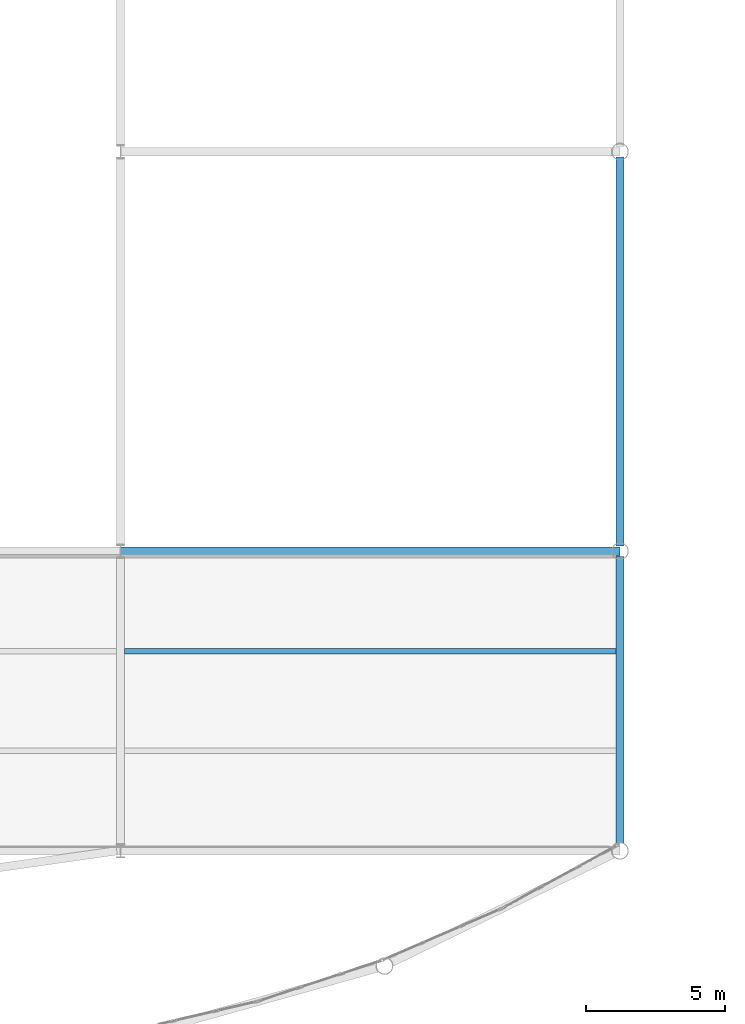
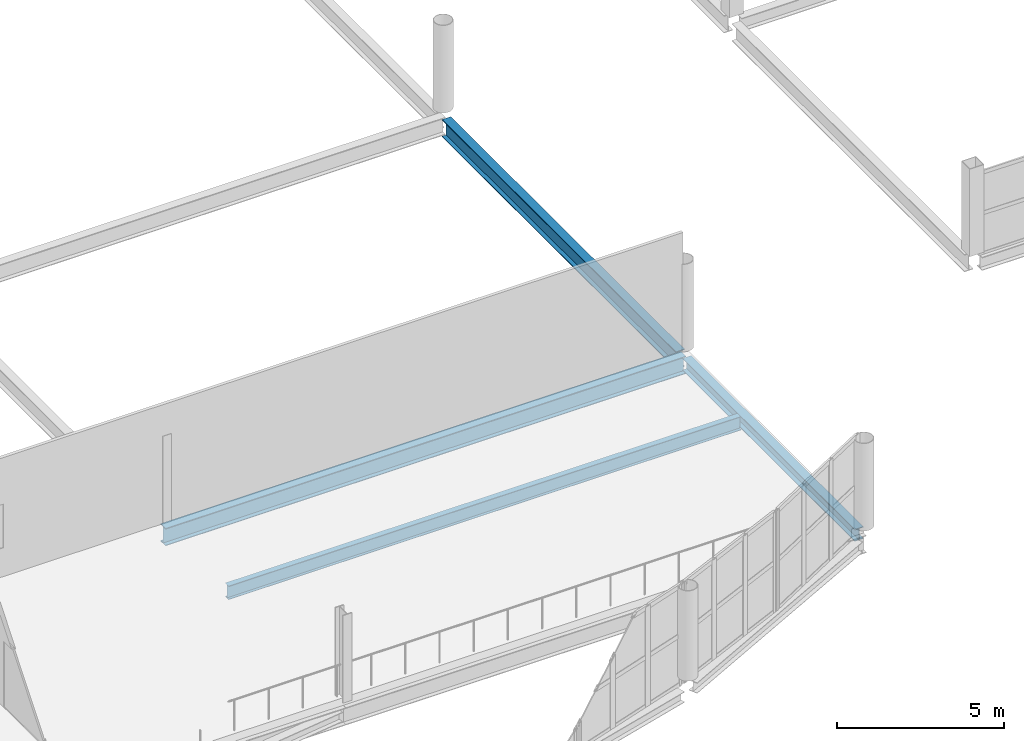
# One storey, part 34 of 134: 4 beams.
"""IFC4 building model written with IfcOpenShell, lengths in metres."""

from ifc_helpers import new_model, si_unit, direction, frame, origin, origin_2d, place, context, subcontext, project, spatial, i_section, extrude, material, material_profile, profile_set, type_object, element, save


model = new_model("IFC4")

# Units and contexts
model_context = context("Model", 3, precision=1e-05, world=origin(), true_north=direction((0.0, 1.0)))
body_context = subcontext(model_context, "Body", "Model", "MODEL_VIEW")
ifc_project = project(units=[si_unit("LENGTHUNIT", "METRE"), si_unit("AREAUNIT", "SQUARE_METRE"), si_unit("VOLUMEUNIT", "CUBIC_METRE"), si_unit("PLANEANGLEUNIT", "RADIAN"), si_unit("MASSUNIT", "GRAM", prefix="KILO")], contexts=[model_context])

# Site, building, storey
site_placement = place(None, origin())
site = spatial("IfcSite", under=ifc_project, at=site_placement, CompositionType="ELEMENT")
building_placement = place(site_placement, origin())
building = spatial("IfcBuilding", under=site, at=building_placement, Name="Tamarisk Ironworks Central Station", CompositionType="ELEMENT")
storey_placement = place(building_placement, frame((0.0, 0.0, 12.60009765625)))
storey = spatial("IfcBuildingStorey", under=building, at=storey_placement, Name="L02", CompositionType="ELEMENT", Elevation=12.60009765625)

# Beams
ifc_material = material(Name="Structural steel S355J2", Category="steel")
ifc_material_profile_1 = material_profile(ifc_material, i_section(OverallWidth=0.199951171875, OverallDepth=0.5, WebThickness=0.01025390625, FlangeThickness=0.01611328125, at=origin_2d()), Name="IPE 500")
ifc_profile_set_1 = profile_set([ifc_material_profile_1], Name="Structural steel S355J2")
beam_type_1 = type_object("IfcBeamType", Name="BM-B02", PredefinedType="BEAM", material=ifc_profile_set_1)
beam_1_placement = place(storey_placement, frame((90.135009765625, 18.0, -0.530029296875), z_axis=(1.0, 0.0, 0.0), x_axis=(0.0, 1.0, 0.0)))
element("IfcBeam", 1, at=beam_1_placement, inside=storey, type_object=beam_type_1, Name="L02 secondary composite beam 0126", PredefinedType="BEAM", context=body_context, shape_type="SweptSolid", body=[
    extrude(i_section(OverallWidth=0.199951171875, OverallDepth=0.5, WebThickness=0.01025390625, FlangeThickness=0.01611328125, at=origin_2d()), origin(), (0.0, 0.0, 1.0), 17.72998046875),
])
ifc_material_profile_2 = material_profile(ifc_material, i_section(OverallWidth=0.300048828125, OverallDepth=0.639892578125, WebThickness=0.013427734375, FlangeThickness=0.02587890625, at=origin_2d()), Name="HEA 650")
ifc_profile_set_2 = profile_set([ifc_material_profile_2], Name="Structural steel S355J2")
beam_type_2 = type_object("IfcBeamType", Name="BM-G02", PredefinedType="BEAM", material=ifc_profile_set_2)
beam_2_placement = place(storey_placement, frame((90.00390625, 21.60009765625, -0.60009765625), z_axis=(1.0, 0.0, 0.0), x_axis=(0.0, 1.0, 0.0)))
element("IfcBeam", 2, at=beam_2_placement, inside=storey, type_object=beam_type_2, Name="L02 primary girder X-0313", PredefinedType="BEAM", context=body_context, shape_type="SweptSolid", body=[
    extrude(i_section(OverallWidth=0.300048828125, OverallDepth=0.639892578125, WebThickness=0.013427734375, FlangeThickness=0.02587890625, at=origin_2d()), origin(), (0.0, 0.0, 1.0), 17.9921875),
])
beam_3_placement = place(storey_placement, frame((108.0, 21.7958984375, -0.60009765625), z_axis=(0.0, 1.0, 0.0), x_axis=(-1.0, 0.0, 0.0)))
element("IfcBeam", 3, at=beam_3_placement, inside=storey, type_object=beam_type_2, Name="L02 primary girder Y-0481", PredefinedType="BEAM", context=body_context, shape_type="SweptSolid", body=[
    extrude(i_section(OverallWidth=0.300048828125, OverallDepth=0.639892578125, WebThickness=0.013427734375, FlangeThickness=0.02587890625, at=origin_2d()), origin(), (0.0, 0.0, 1.0), 14.008056640625),
])
ifc_material_profile_3 = material_profile(ifc_material, i_section(OverallWidth=0.300048828125, OverallDepth=0.43994140625, WebThickness=0.011474609375, FlangeThickness=0.02099609375, at=origin_2d()), Name="HEA 450")
ifc_profile_set_3 = profile_set([ifc_material_profile_3], Name="Structural steel S355J2")
beam_type_3 = type_object("IfcBeamType", Name="BM-G06", PredefinedType="BEAM", material=ifc_profile_set_3)
beam_4_placement = place(storey_placement, frame((108.0, 11.087890625, -0.5), z_axis=(0.0, 1.0, 0.0), x_axis=(-1.0, 0.0, 0.0)))
element("IfcBeam", 4, at=beam_4_placement, inside=storey, type_object=beam_type_3, Name="L02 primary girder Y-0480", PredefinedType="BEAM", context=body_context, shape_type="SweptSolid", body=[
    extrude(i_section(OverallWidth=0.300048828125, OverallDepth=0.43994140625, WebThickness=0.011474609375, FlangeThickness=0.02099609375, at=origin_2d()), origin(), (0.0, 0.0, 1.0), 10.316162109375),
])

save(model, "model.ifc")
